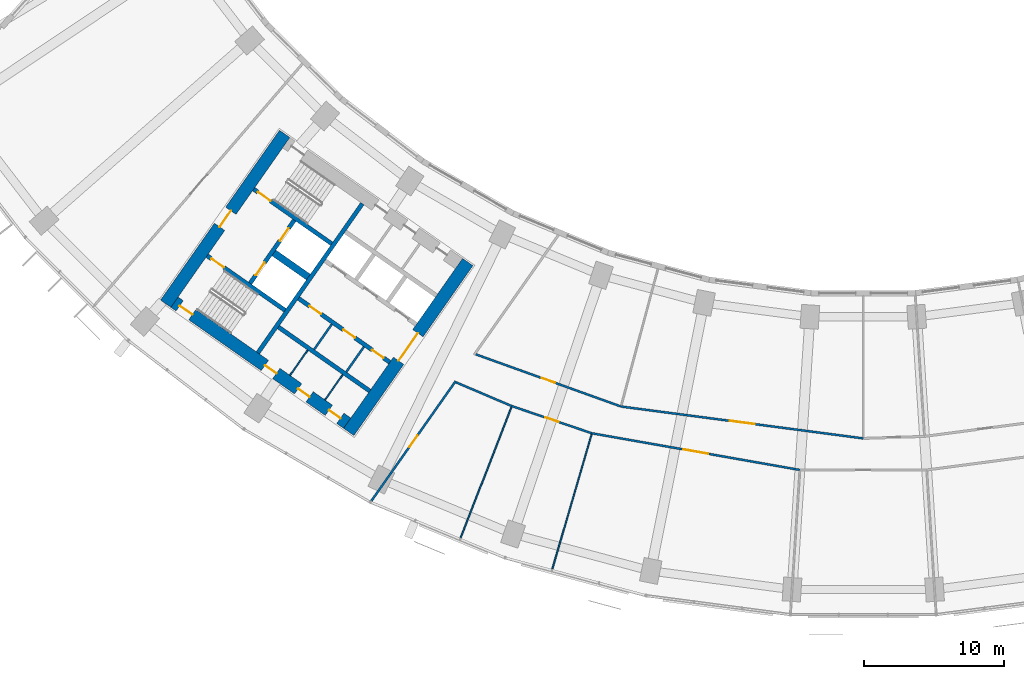
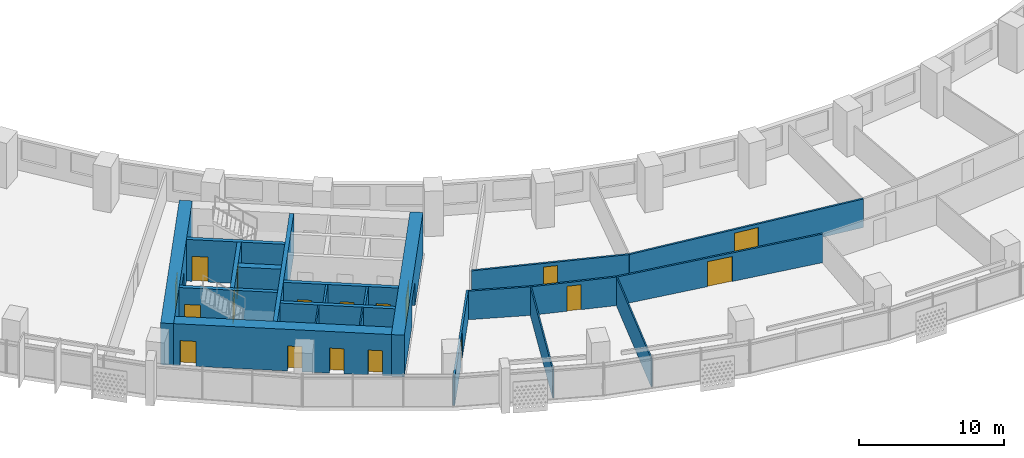
# One storey, part 3 of 31: 22 walls, 18 doors, 18 openings.
"""IFC4 building model written with IfcOpenShell, lengths in metres."""

import ifcopenshell
import ifcopenshell.guid

model = None  # the IFC model being written
_history = None  # IfcOwnerHistory: only IFC2X3 demands one
_inside = {}  # id of a spatial element -> (the spatial element, [elements in it])
_under = {}  # id of a project, library or spatial element -> (it, [spatial elements below it])
_declared = {}  # id of a project -> (the project, [libraries it declares])
_typed = {}  # id of a type object -> (the type object, [elements of that type])
_made_of = {}  # id of a material, layer set ... -> (it, [elements and type objects made of it])


def new_model(schema):
    """Start an empty IFC model of exactly this schema.

    Asked for "IFC4X3", IfcOpenShell would pick the latest addendum, in which some entities
    have other attributes; the version numbers below select the first issue.
    IFC2X3 requires an IfcOwnerHistory on every rooted entity: one is made here for all.
    """
    global model, _history
    if schema == "IFC4X3":
        model = ifcopenshell.file(schema_version=(4, 3, 0, 0))
    else:
        model = ifcopenshell.file(schema=schema)
    _inside.clear()
    _under.clear()
    _declared.clear()
    _typed.clear()
    _made_of.clear()
    _history = None
    if model.schema == "IFC2X3":
        org = make("IfcOrganization", Name="unknown")
        user = make(
            "IfcPersonAndOrganization",
            ThePerson=make("IfcPerson", FamilyName="unknown"),
            TheOrganization=org,
        )
        app = make(
            "IfcApplication",
            ApplicationDeveloper=org,
            Version="unknown",
            ApplicationFullName="unknown",
            ApplicationIdentifier="unknown",
        )
        _history = make(
            "IfcOwnerHistory",
            OwningUser=user,
            OwningApplication=app,
            ChangeAction="ADDED",
            CreationDate=0,
        )
    return model


def make(cls, **values):
    """One entity of the class cls with the attributes given. An attribute that is None is left unset."""
    return model.create_entity(
        cls, **{name: value for name, value in values.items() if value is not None}
    )


def rooted(cls, **values):
    """An entity with a GlobalId (a new one), such as an element, a storey or a relation."""
    return make(cls, GlobalId=ifcopenshell.guid.new(), OwnerHistory=_history, **values)


def si_unit(unit_type, name, prefix=None):
    """IfcSIUnit, for example si_unit("LENGTHUNIT", "METRE", prefix="MILLI")."""
    return make("IfcSIUnit", UnitType=unit_type, Prefix=prefix, Name=name)


def assignment(units):
    """IfcUnitAssignment: the units of a project."""
    return None if units is None else make("IfcUnitAssignment", Units=units)


def point(xyz):
    """IfcCartesianPoint."""
    return None if xyz is None else make("IfcCartesianPoint", Coordinates=xyz)


def direction(xyz):
    """IfcDirection."""
    return None if xyz is None else make("IfcDirection", DirectionRatios=xyz)


def frame(location, z_axis=None, x_axis=None):
    """IfcAxis2Placement3D, a coordinate frame: its origin and axes. An axis left out is left unset."""
    return make(
        "IfcAxis2Placement3D",
        Location=point(location),
        Axis=direction(z_axis),
        RefDirection=direction(x_axis),
    )


def frame_2d(location, x_axis=None):
    """IfcAxis2Placement2D, a coordinate frame in the plane: its origin and x axis."""
    return make(
        "IfcAxis2Placement2D", Location=point(location), RefDirection=direction(x_axis)
    )


def origin():
    """The frame at (0, 0, 0) with its axes left unset."""
    return frame((0.0, 0.0, 0.0))


def place(relative_to, where):
    """IfcLocalPlacement: puts the frame where relative to a parent placement (None: the world)."""
    return make(
        "IfcLocalPlacement", PlacementRelTo=relative_to, RelativePlacement=where
    )


def context(
    kind, dimensions, precision=None, world=None, true_north=None, identifier=None
):
    """IfcGeometricRepresentationContext, for example the 3D "Model" context."""
    return make(
        "IfcGeometricRepresentationContext",
        ContextIdentifier=identifier,
        ContextType=kind,
        CoordinateSpaceDimension=dimensions,
        Precision=precision,
        WorldCoordinateSystem=world,
        TrueNorth=true_north,
    )


def subcontext(parent, identifier, kind, view, scale=None):
    """IfcGeometricRepresentationSubContext, for example "Body" below "Model"."""
    return make(
        "IfcGeometricRepresentationSubContext",
        ContextIdentifier=identifier,
        ContextType=kind,
        ParentContext=parent,
        TargetScale=scale,
        TargetView=view,
    )


def project(units=None, contexts=None):
    """IfcProject with its units and contexts."""
    return rooted(
        "IfcProject",
        Name="project",
        RepresentationContexts=contexts,
        UnitsInContext=assignment(units),
    )


def spatial(cls, under=None, at=None, **own):
    """A site, building, storey or space (cls), placed at a placement, below another one or the project."""
    s = rooted(cls, ObjectPlacement=at, **own)
    if under is not None:
        _under.setdefault(under.id(), (under, []))[1].append(s)
    return s


def profile(cls, at=None, kind="AREA", **sizes):
    """A parametric profile (cls). Its sizes go by their IFC names, for example OverallWidth=200.0."""
    return make(cls, ProfileType=kind, Position=at, **sizes)


def rectangle(**sizes):
    """IfcRectangleProfileDef."""
    return profile("IfcRectangleProfileDef", **sizes)


def extrude(swept, where, along, depth):
    """IfcExtrudedAreaSolid: the profile swept, set in the frame where, extruded along a direction by depth."""
    return make(
        "IfcExtrudedAreaSolid",
        SweptArea=swept,
        Position=where,
        ExtrudedDirection=direction(along),
        Depth=depth,
    )


def shape(context_of_items, identifier, shape_type, items):
    """IfcShapeRepresentation: the items that make up one representation, for example the "Body"."""
    return make(
        "IfcShapeRepresentation",
        ContextOfItems=context_of_items,
        RepresentationIdentifier=identifier,
        RepresentationType=shape_type,
        Items=items,
    )


def material(Name=None, Category=None):
    """IfcMaterial."""
    return make("IfcMaterial", Name=Name, Category=Category)


def layer(
    of_material, thickness, ventilated=None, Name=None, Category=None, Priority=None
):
    """IfcMaterialLayer: one layer of a wall or slab, of a material (None: an air gap)."""
    return make(
        "IfcMaterialLayer",
        Material=of_material,
        LayerThickness=thickness,
        IsVentilated=ventilated,
        Name=Name,
        Category=Category,
        Priority=Priority,
    )


def layer_set(layers, Name=None):
    """IfcMaterialLayerSet."""
    return make("IfcMaterialLayerSet", MaterialLayers=layers, LayerSetName=Name)


def made_of(thing, what):
    """Note that an element or type object is made of a material, layer set ...; save() writes the relation."""
    if what is not None:
        _made_of.setdefault(what.id(), (what, []))[1].append(thing)
    return thing


def type_object(cls, material=None, **own):
    """A type object (cls), such as IfcWallType, which elements share."""
    return made_of(rooted(cls, **own), material)


def element(
    cls,
    number,
    at=None,
    inside=None,
    cuts=None,
    type_object=None,
    material=None,
    context=None,
    identifier="Body",
    shape_type=None,
    held_by="IfcProductDefinitionShape",
    body=None,
    shapes=None,
    **own,
):
    """One element of the class cls, such as IfcWall. Its Tag is "e" and its number.

    at: its placement. inside: the storey or other place that contains it. cuts: it is an
    opening in that element (IfcRelVoidsElement). A single representation is given by context,
    identifier, shape_type and body (its items); several are given by shapes. held_by: the class
    of the entity that holds the representations. save() writes the other relations.
    """
    e = rooted(cls, Tag="e%d" % number, ObjectPlacement=at, **own)
    if body is not None:
        shapes = [shape(context, identifier, shape_type, body)]
    if shapes is not None:
        e.Representation = make(held_by, Representations=shapes)
    if inside is not None:
        _inside.setdefault(inside.id(), (inside, []))[1].append(e)
    if cuts is not None:
        rooted(
            "IfcRelVoidsElement", RelatingBuildingElement=cuts, RelatedOpeningElement=e
        )
    if type_object is not None:
        _typed.setdefault(type_object.id(), (type_object, []))[1].append(e)
    return made_of(e, material)


def fill(opening, filler):
    """IfcRelFillsElement: the door or window that sits in an opening."""
    return rooted(
        "IfcRelFillsElement",
        RelatingOpeningElement=opening,
        RelatedBuildingElement=filler,
    )


def aggregate(whole, parts):
    """IfcRelAggregates: a whole, such as a stair, and the parts it consists of."""
    return rooted("IfcRelAggregates", RelatingObject=whole, RelatedObjects=parts)


def save(model, path):
    """Write the relations noted so far, then the file.

    IfcRelAggregates (storeys below a building ...), IfcRelContainedInSpatialStructure (elements
    in a storey), IfcRelDefinesByType, IfcRelAssociatesMaterial and IfcRelDeclares: one each for
    every whole, place, type object, material and project.
    """
    for whole, parts in _under.values():
        aggregate(whole, parts)
    for where, things in _inside.values():
        rooted(
            "IfcRelContainedInSpatialStructure",
            RelatedElements=things,
            RelatingStructure=where,
        )
    for kind, things in _typed.values():
        rooted("IfcRelDefinesByType", RelatedObjects=things, RelatingType=kind)
    for what, things in _made_of.values():
        rooted("IfcRelAssociatesMaterial", RelatedObjects=things, RelatingMaterial=what)
    for by, libraries in _declared.values():
        rooted("IfcRelDeclares", RelatingContext=by, RelatedDefinitions=libraries)
    model.write(path)


model = new_model("IFC4")

# Units and contexts
model_context = context("Model", 3, precision=1e-05, world=origin(), true_north=direction((0.0, 1.0)))
body_context = subcontext(model_context, "Body", "Model", "MODEL_VIEW")
ifc_project = project(units=[si_unit("LENGTHUNIT", "METRE"), si_unit("AREAUNIT", "SQUARE_METRE"), si_unit("VOLUMEUNIT", "CUBIC_METRE"), si_unit("PLANEANGLEUNIT", "RADIAN"), si_unit("MASSUNIT", "GRAM", prefix="KILO")], contexts=[model_context])

# Site, building, storey
site_placement = place(None, origin())
site = spatial("IfcSite", under=ifc_project, at=site_placement, CompositionType="ELEMENT")
building_placement = place(site_placement, origin())
building = spatial("IfcBuilding", under=site, at=building_placement, Name="Qamariyya Broadcast Tower", CompositionType="ELEMENT")
storey_placement = place(building_placement, frame((0.0, 0.0, 82.300048828125)))
storey = spatial("IfcBuildingStorey", under=building, at=storey_placement, Name="L17", CompositionType="ELEMENT", Elevation=82.300048828125)

# Wall, opening, door
ifc_material_1 = material(Name="Concrete C70/85", Category="concrete")
ifc_layer_1 = layer(ifc_material_1, 0.89990234375)
ifc_layer_set_1 = layer_set([ifc_layer_1], Name="Core wall 900 mm Concrete C70/85")
wall_type_1 = type_object("IfcWallType", Name="Core wall 900 mm Concrete C70/85", PredefinedType="SHEAR", material=ifc_layer_set_1)
wall_1_placement = place(storey_placement, frame((-36.716796875, -66.3369140625, 0.0), z_axis=(0.0, 0.0, 1.0), x_axis=(0.573577477574, 0.819151315216, 0.0)))
wall_1 = element("IfcWall", 1, at=wall_1_placement, inside=storey, type_object=wall_type_1, Name="k-W-L17-WA", PredefinedType="SHEAR", context=body_context, shape_type="SweptSolid", body=[
    extrude(rectangle(XDim=14.800048828125, YDim=0.89990234375, at=frame_2d((7.39990234375, 0.0))), origin(), (0.0, 0.0, 1.0), 3.5),
])
opening_1_placement = place(wall_1_placement, frame((6.199951171875, 0.0, 0.0)))
opening_1 = element("IfcOpeningElement", 2, at=opening_1_placement, cuts=wall_1, Name="Opening KD3-W1", PredefinedType="OPENING", context=body_context, shape_type="SweptSolid", body=[
    extrude(rectangle(XDim=2.39990234375, YDim=2.10009765625, at=frame_2d((1.199951171875, 1.050048828125))), frame((0.0, 0.4599609375, 0.0), z_axis=(0.0, -1.0, 0.0), x_axis=(1.0, 0.0, 0.0)), (0.0, 0.0, 1.0), 0.919921875),
])
ifc_material_2 = material(Name="Steel fire-resisting door leaf", Category="steel")
door_type_1 = type_object("IfcDoorType", Name="Lift lobby door KD3", OperationType="DOUBLE_DOOR_SINGLE_SWING", PredefinedType="DOOR", material=ifc_material_2)
door_1_placement = place(opening_1_placement, origin())
door_1 = element("IfcDoor", 3, at=door_1_placement, inside=storey, type_object=door_type_1, Name="k-W-L17-WA-D1", OperationType="DOUBLE_DOOR_SINGLE_SWING", OverallHeight=2.10009765625, OverallWidth=2.39990234375, PredefinedType="DOOR", context=body_context, shape_type="SweptSolid", body=[
    extrude(rectangle(XDim=2.39990234375, YDim=2.10009765625, at=frame_2d((1.199951171875, 1.050048828125))), frame((0.0, 0.02490234375, 0.0), z_axis=(0.0, -1.0, 0.0), x_axis=(1.0, 0.0, 0.0)), (0.0, 0.0, 1.0), 0.050048828125),
])
fill(opening_1, door_1)

wall_2_placement = place(storey_placement, frame((-49.778564453125, -57.191162109375, 0.0), z_axis=(0.0, 0.0, 1.0), x_axis=(0.573577477574, 0.819151315216, 0.0)))
wall_2 = element("IfcWall", 4, at=wall_2_placement, inside=storey, type_object=wall_type_1, Name="k-W-L17-WH", PredefinedType="SHEAR", context=body_context, shape_type="SweptSolid", body=[
    extrude(rectangle(XDim=14.800048828125, YDim=0.89990234375, at=frame_2d((7.39990234375, 0.0))), origin(), (0.0, 0.0, 1.0), 3.5),
])
opening_2_placement = place(wall_2_placement, frame((6.699951171875, 0.0, 0.0)))
opening_2 = element("IfcOpeningElement", 5, at=opening_2_placement, cuts=wall_2, Name="Opening KD2-W1", PredefinedType="OPENING", context=body_context, shape_type="SweptSolid", body=[
    extrude(rectangle(XDim=1.39990234375, YDim=2.10009765625, at=frame_2d((0.699951171875, 1.050048828125))), frame((0.0, 0.4599609375, 0.0), z_axis=(0.0, -1.0, 0.0), x_axis=(1.0, 0.0, 0.0)), (0.0, 0.0, 1.0), 0.919921875),
])
door_type_2 = type_object("IfcDoorType", Name="Fire-fighting lobby door KD2", OperationType="DOUBLE_DOOR_SINGLE_SWING", PredefinedType="DOOR", material=ifc_material_2)
door_2_placement = place(opening_2_placement, origin())
door_2 = element("IfcDoor", 6, at=door_2_placement, inside=storey, type_object=door_type_2, Name="k-W-L17-WH-D16", OperationType="DOUBLE_DOOR_SINGLE_SWING", OverallHeight=2.10009765625, OverallWidth=1.39990234375, PredefinedType="DOOR", context=body_context, shape_type="SweptSolid", body=[
    extrude(rectangle(XDim=1.39990234375, YDim=2.10009765625, at=frame_2d((0.699951171875, 1.050048828125))), frame((0.0, 0.02490234375, 0.0), z_axis=(0.0, -1.0, 0.0), x_axis=(1.0, 0.0, 0.0)), (0.0, 0.0, 1.0), 0.050048828125),
])
fill(opening_2, door_2)

# Wall, openings, doors
wall_3_placement = place(storey_placement, frame((-36.827392578125, -65.710205078125, 0.0), z_axis=(0.0, 0.0, 1.0), x_axis=(-0.819153391756, 0.573574511963, 0.0)))
wall_3 = element("IfcWall", 7, at=wall_3_placement, inside=storey, type_object=wall_type_1, Name="k-W-L17-WO", PredefinedType="SHEAR", context=body_context, shape_type="SweptSolid", body=[
    extrude(rectangle(XDim=15.04541015625, YDim=0.89990234375, at=frame_2d((7.522705078125, 0.0))), origin(), (0.0, 0.0, 1.0), 3.5),
])
opening_3_placement = place(wall_3_placement, frame((0.60009765625, 0.0, 0.0)))
opening_3 = element("IfcOpeningElement", 8, at=opening_3_placement, cuts=wall_3, Name="Opening KD4-W1", PredefinedType="OPENING", context=body_context, shape_type="SweptSolid", body=[
    extrude(rectangle(XDim=1.0, YDim=2.10009765625, at=frame_2d((0.5, 1.050048828125))), frame((0.0, 0.4599609375, 0.0), z_axis=(0.0, -1.0, 0.0), x_axis=(1.0, 0.0, 0.0)), (0.0, 0.0, 1.0), 0.919921875),
])
opening_4_placement = place(wall_3_placement, frame((3.27490234375, 0.0, 0.0)))
opening_4 = element("IfcOpeningElement", 9, at=opening_4_placement, cuts=wall_3, Name="Opening KD4-W2", PredefinedType="OPENING", context=body_context, shape_type="SweptSolid", body=[
    extrude(rectangle(XDim=1.0, YDim=2.10009765625, at=frame_2d((0.5, 1.050048828125))), frame((0.0, 0.4599609375, 0.0), z_axis=(0.0, -1.0, 0.0), x_axis=(1.0, 0.0, 0.0)), (0.0, 0.0, 1.0), 0.919921875),
])
opening_5_placement = place(wall_3_placement, frame((6.175048828125, 0.0, 0.0)))
opening_5 = element("IfcOpeningElement", 10, at=opening_5_placement, cuts=wall_3, Name="Opening KD4-W3", PredefinedType="OPENING", context=body_context, shape_type="SweptSolid", body=[
    extrude(rectangle(XDim=1.0, YDim=2.10009765625, at=frame_2d((0.5, 1.050048828125))), frame((0.0, 0.4599609375, 0.0), z_axis=(0.0, -1.0, 0.0), x_axis=(1.0, 0.0, 0.0)), (0.0, 0.0, 1.0), 0.919921875),
])
opening_6_placement = place(wall_3_placement, frame((13.495361328125, 0.0, 0.0)))
opening_6 = element("IfcOpeningElement", 11, at=opening_6_placement, cuts=wall_3, Name="Opening KD1-W3", PredefinedType="OPENING", context=body_context, shape_type="SweptSolid", body=[
    extrude(rectangle(XDim=1.10009765625, YDim=2.10009765625, at=frame_2d((0.550048828125, 1.050048828125))), frame((0.0, 0.4599609375, 0.0), z_axis=(0.0, -1.0, 0.0), x_axis=(1.0, 0.0, 0.0)), (0.0, 0.0, 1.0), 0.919921875),
])
door_type_3 = type_object("IfcDoorType", Name="Riser and plant door KD4", OperationType="SINGLE_SWING_LEFT", PredefinedType="DOOR", material=ifc_material_2)
door_3_placement = place(opening_3_placement, origin())
door_3 = element("IfcDoor", 12, at=door_3_placement, inside=storey, type_object=door_type_3, Name="k-W-L17-WO-D11", OperationType="SINGLE_SWING_RIGHT", OverallHeight=2.10009765625, OverallWidth=1.0, PredefinedType="DOOR", context=body_context, shape_type="SweptSolid", body=[
    extrude(rectangle(XDim=1.0, YDim=2.10009765625, at=frame_2d((0.5, 1.050048828125))), frame((0.0, 0.02490234375, 0.0), z_axis=(0.0, -1.0, 0.0), x_axis=(1.0, 0.0, 0.0)), (0.0, 0.0, 1.0), 0.050048828125),
])
fill(opening_3, door_3)
door_4_placement = place(opening_4_placement, origin())
door_4 = element("IfcDoor", 13, at=door_4_placement, inside=storey, type_object=door_type_3, Name="k-W-L17-WO-D12", OperationType="SINGLE_SWING_LEFT", OverallHeight=2.10009765625, OverallWidth=1.0, PredefinedType="DOOR", context=body_context, shape_type="SweptSolid", body=[
    extrude(rectangle(XDim=1.0, YDim=2.10009765625, at=frame_2d((0.5, 1.050048828125))), frame((0.0, 0.02490234375, 0.0), z_axis=(0.0, -1.0, 0.0), x_axis=(1.0, 0.0, 0.0)), (0.0, 0.0, 1.0), 0.050048828125),
])
fill(opening_4, door_4)
door_5_placement = place(opening_5_placement, origin())
door_5 = element("IfcDoor", 14, at=door_5_placement, inside=storey, type_object=door_type_3, Name="k-W-L17-WO-D13", OperationType="SINGLE_SWING_RIGHT", OverallHeight=2.10009765625, OverallWidth=1.0, PredefinedType="DOOR", context=body_context, shape_type="SweptSolid", body=[
    extrude(rectangle(XDim=1.0, YDim=2.10009765625, at=frame_2d((0.5, 1.050048828125))), frame((0.0, 0.02490234375, 0.0), z_axis=(0.0, -1.0, 0.0), x_axis=(1.0, 0.0, 0.0)), (0.0, 0.0, 1.0), 0.050048828125),
])
fill(opening_5, door_5)
door_type_4 = type_object("IfcDoorType", Name="Stair door KD1", OperationType="SINGLE_SWING_LEFT", PredefinedType="DOOR", material=ifc_material_2)
door_6_placement = place(opening_6_placement, origin())
door_6 = element("IfcDoor", 15, at=door_6_placement, inside=storey, type_object=door_type_4, Name="k-W-L17-WO-D19", OperationType="SINGLE_SWING_LEFT", OverallHeight=2.10009765625, OverallWidth=1.10009765625, PredefinedType="DOOR", context=body_context, shape_type="SweptSolid", body=[
    extrude(rectangle(XDim=1.10009765625, YDim=2.10009765625, at=frame_2d((0.550048828125, 1.050048828125))), frame((0.0, 0.02490234375, 0.0), z_axis=(0.0, -1.0, 0.0), x_axis=(1.0, 0.0, 0.0)), (0.0, 0.0, 1.0), 0.050048828125),
])
fill(opening_6, door_6)

# Wall, opening, door
ifc_material_3 = material(Name="Gypsum board partition")
ifc_layer_2 = layer(ifc_material_3, 0.14990234375)
ifc_layer_set_2 = layer_set([ifc_layer_2], Name="Corridor partition 150 EI 60")
wall_type_2 = type_object("IfcWallType", Name="Corridor partition 150 EI 60", PredefinedType="PARTITIONING", material=ifc_layer_set_2)
wall_4_placement = place(storey_placement, frame((-29.087890625, -62.708251953125, 0.0), z_axis=(0.0, 0.0, 1.0), x_axis=(-0.575411972256, -0.817863718589, 0.0)))
wall_4 = element("IfcWall", 16, at=wall_4_placement, inside=storey, type_object=wall_type_2, Name="Partition L17-002", PredefinedType="PARTITIONING", context=body_context, shape_type="SweptSolid", body=[
    extrude(rectangle(XDim=10.471435546875, YDim=0.14990234375, at=frame_2d((5.23583984375, 0.0))), origin(), (0.0, 0.0, 1.0), 2.39990234375),
])
opening_7_placement = place(wall_4_placement, frame((4.735595703125, 0.0, 0.0)))
opening_7 = element("IfcOpeningElement", 17, at=opening_7_placement, cuts=wall_4, Name="Opening L17-D01", PredefinedType="OPENING", context=body_context, shape_type="SweptSolid", body=[
    extrude(rectangle(XDim=1.0, YDim=2.10009765625, at=frame_2d((0.5, 1.050048828125))), frame((0.0, 0.0849609375, 0.0), z_axis=(0.0, -1.0, 0.0), x_axis=(1.0, 0.0, 0.0)), (0.0, 0.0, 1.0), 0.169921875),
])
ifc_material_4 = material(Name="Timber fire door leaf", Category="wood")
door_type_5 = type_object("IfcDoorType", Name="Fire door 1000 x 2100 FD60", OperationType="NOTDEFINED", PredefinedType="DOOR", material=ifc_material_4)
door_7_placement = place(opening_7_placement, origin())
door_7 = element("IfcDoor", 18, at=door_7_placement, inside=storey, type_object=door_type_5, Name="Door L17-D01", OperationType="SINGLE_SWING_RIGHT", OverallHeight=2.10009765625, OverallWidth=1.0, PredefinedType="DOOR", context=body_context, shape_type="SweptSolid", body=[
    extrude(rectangle(XDim=1.0, YDim=2.10009765625, at=frame_2d((0.5, 1.050048828125))), frame((0.0, 0.02490234375, 0.0), z_axis=(0.0, -1.0, 0.0), x_axis=(1.0, 0.0, 0.0)), (0.0, 0.0, 1.0), 0.050048828125),
])
fill(opening_7, door_7)

# Wall
wall_5_placement = place(storey_placement, frame((-29.06201171875, -62.799072265625, 0.0), z_axis=(0.0, 0.0, 1.0), x_axis=(0.920023602502, -0.391862949052, 0.0)))
element("IfcWall", 19, at=wall_5_placement, inside=storey, type_object=wall_type_2, Name="Partition L17-003", PredefinedType="PARTITIONING", context=body_context, shape_type="SweptSolid", body=[
    extrude(rectangle(XDim=4.329345703125, YDim=0.14990234375, at=frame_2d((2.16455078125, 0.0))), origin(), (0.0, 0.0, 1.0), 2.39990234375),
])

# Wall, opening, door
wall_6_placement = place(storey_placement, frame((-27.65625, -60.79931640625, 0.0), z_axis=(0.0, 0.0, 1.0), x_axis=(0.941106453562, -0.338110400705, 0.0)))
wall_6 = element("IfcWall", 20, at=wall_6_placement, inside=storey, type_object=wall_type_2, Name="Partition L17-005", PredefinedType="PARTITIONING", context=body_context, shape_type="SweptSolid", body=[
    extrude(rectangle(XDim=11.015869140625, YDim=0.14990234375, at=frame_2d((5.5078125, 0.0))), origin(), (0.0, 0.0, 1.0), 2.39990234375),
])
opening_8_placement = place(wall_6_placement, frame((5.008056640625, 0.0, 0.0)))
opening_8 = element("IfcOpeningElement", 21, at=opening_8_placement, cuts=wall_6, Name="Opening L17-D07", PredefinedType="OPENING", context=body_context, shape_type="SweptSolid", body=[
    extrude(rectangle(XDim=1.0, YDim=2.10009765625, at=frame_2d((0.5, 1.050048828125))), frame((0.0, 0.0849609375, 0.0), z_axis=(0.0, -1.0, 0.0), x_axis=(1.0, 0.0, 0.0)), (0.0, 0.0, 1.0), 0.169921875),
])
door_8_placement = place(opening_8_placement, origin())
door_8 = element("IfcDoor", 22, at=door_8_placement, inside=storey, type_object=door_type_5, Name="Door L17-D07", OperationType="SINGLE_SWING_RIGHT", OverallHeight=2.10009765625, OverallWidth=1.0, PredefinedType="DOOR", context=body_context, shape_type="SweptSolid", body=[
    extrude(rectangle(XDim=1.0, YDim=2.10009765625, at=frame_2d((0.5, 1.050048828125))), frame((0.0, 0.02490234375, 0.0), z_axis=(0.0, -1.0, 0.0), x_axis=(1.0, 0.0, 0.0)), (0.0, 0.0, 1.0), 0.050048828125),
])
fill(opening_8, door_8)

wall_7_placement = place(storey_placement, frame((-19.365966796875, -66.434814453125, 0.0), z_axis=(0.0, 0.0, 1.0), x_axis=(-0.94693295825, 0.321431131939, 0.0)))
wall_7 = element("IfcWall", 23, at=wall_7_placement, inside=storey, type_object=wall_type_2, Name="Partition L17-006", PredefinedType="PARTITIONING", context=body_context, shape_type="SweptSolid", body=[
    extrude(rectangle(XDim=6.032958984375, YDim=0.14990234375, at=frame_2d((3.0166015625, 0.0))), origin(), (0.0, 0.0, 1.0), 2.39990234375),
])
opening_9_placement = place(wall_7_placement, frame((2.5166015625, 0.0, 0.0)))
opening_9 = element("IfcOpeningElement", 24, at=opening_9_placement, cuts=wall_7, Name="Opening L17-D02", PredefinedType="OPENING", context=body_context, shape_type="SweptSolid", body=[
    extrude(rectangle(XDim=1.0, YDim=2.10009765625, at=frame_2d((0.5, 1.050048828125))), frame((0.0, 0.0849609375, 0.0), z_axis=(0.0, -1.0, 0.0), x_axis=(1.0, 0.0, 0.0)), (0.0, 0.0, 1.0), 0.169921875),
])
door_9_placement = place(opening_9_placement, origin())
door_9 = element("IfcDoor", 25, at=door_9_placement, inside=storey, type_object=door_type_5, Name="Door L17-D02", OperationType="SINGLE_SWING_RIGHT", OverallHeight=2.10009765625, OverallWidth=1.0, PredefinedType="DOOR", context=body_context, shape_type="SweptSolid", body=[
    extrude(rectangle(XDim=1.0, YDim=2.10009765625, at=frame_2d((0.5, 1.050048828125))), frame((0.0, 0.02490234375, 0.0), z_axis=(0.0, -1.0, 0.0), x_axis=(1.0, 0.0, 0.0)), (0.0, 0.0, 1.0), 0.050048828125),
])
fill(opening_9, door_9)

wall_8_placement = place(storey_placement, frame((-4.52587890625, -69.0517578125, 0.0), z_axis=(0.0, 0.0, 1.0), x_axis=(-0.984805080703, 0.173663332402, 0.0)))
wall_8 = element("IfcWall", 26, at=wall_8_placement, inside=storey, type_object=wall_type_2, Name="Partition L17-009", PredefinedType="PARTITIONING", context=body_context, shape_type="SweptSolid", body=[
    extrude(rectangle(XDim=15.069091796875, YDim=0.14990234375, at=frame_2d((7.53466796875, 0.0))), origin(), (0.0, 0.0, 1.0), 2.39990234375),
])
opening_10_placement = place(wall_8_placement, frame((6.634521484375, 0.0, 0.0)))
opening_10 = element("IfcOpeningElement", 27, at=opening_10_placement, cuts=wall_8, Name="Opening L17-D03", PredefinedType="OPENING", context=body_context, shape_type="SweptSolid", body=[
    extrude(rectangle(XDim=1.800048828125, YDim=2.10009765625, at=frame_2d((0.89990234375, 1.050048828125))), frame((0.0, 0.0849609375, 0.0), z_axis=(0.0, -1.0, 0.0), x_axis=(1.0, 0.0, 0.0)), (0.0, 0.0, 1.0), 0.169921875),
])
door_type_6 = type_object("IfcDoorType", Name="Double fire door 1800 x 2100 FD60", OperationType="NOTDEFINED", PredefinedType="DOOR", material=ifc_material_4)
door_10_placement = place(opening_10_placement, origin())
door_10 = element("IfcDoor", 28, at=door_10_placement, inside=storey, type_object=door_type_6, Name="Door L17-D03", OperationType="DOUBLE_DOOR_SINGLE_SWING", OverallHeight=2.10009765625, OverallWidth=1.800048828125, PredefinedType="DOOR", context=body_context, shape_type="SweptSolid", body=[
    extrude(rectangle(XDim=1.800048828125, YDim=2.10009765625, at=frame_2d((0.89990234375, 1.050048828125))), frame((0.0, 0.02490234375, 0.0), z_axis=(0.0, -1.0, 0.0), x_axis=(1.0, 0.0, 0.0)), (0.0, 0.0, 1.0), 0.050048828125),
])
fill(opening_10, door_10)

wall_9_placement = place(storey_placement, frame((-17.2890625, -64.52392578125, 0.0), z_axis=(0.0, 0.0, 1.0), x_axis=(0.991445048473, -0.130524771053, 0.0)))
wall_9 = element("IfcWall", 29, at=wall_9_placement, inside=storey, type_object=wall_type_2, Name="Partition L17-010", PredefinedType="PARTITIONING", context=body_context, shape_type="SweptSolid", body=[
    extrude(rectangle(XDim=17.438232421875, YDim=0.14990234375, at=frame_2d((8.71923828125, 0.0))), origin(), (0.0, 0.0, 1.0), 2.39990234375),
])
opening_11_placement = place(wall_9_placement, frame((7.819091796875, 0.0, 0.0)))
opening_11 = element("IfcOpeningElement", 30, at=opening_11_placement, cuts=wall_9, Name="Opening L17-D08", PredefinedType="OPENING", context=body_context, shape_type="SweptSolid", body=[
    extrude(rectangle(XDim=1.800048828125, YDim=2.10009765625, at=frame_2d((0.89990234375, 1.050048828125))), frame((0.0, 0.0849609375, 0.0), z_axis=(0.0, -1.0, 0.0), x_axis=(1.0, 0.0, 0.0)), (0.0, 0.0, 1.0), 0.169921875),
])
door_11_placement = place(opening_11_placement, origin())
door_11 = element("IfcDoor", 31, at=door_11_placement, inside=storey, type_object=door_type_6, Name="Door L17-D08", OperationType="DOUBLE_DOOR_SINGLE_SWING", OverallHeight=2.10009765625, OverallWidth=1.800048828125, PredefinedType="DOOR", context=body_context, shape_type="SweptSolid", body=[
    extrude(rectangle(XDim=1.800048828125, YDim=2.10009765625, at=frame_2d((0.89990234375, 1.050048828125))), frame((0.0, 0.02490234375, 0.0), z_axis=(0.0, -1.0, 0.0), x_axis=(1.0, 0.0, 0.0)), (0.0, 0.0, 1.0), 0.050048828125),
])
fill(opening_11, door_11)

# Walls
ifc_material_5 = material(Name="Concrete C60/75", Category="concrete")
ifc_layer_3 = layer(ifc_material_5, 0.5)
ifc_layer_set_3 = layer_set([ifc_layer_3], Name="Fire-fighting lobby divider wall 500 mm Concrete C60/75")
wall_type_3 = type_object("IfcWallType", Name="Fire-fighting lobby divider wall 500 mm Concrete C60/75", PredefinedType="SOLIDWALL", material=ifc_layer_set_3)
wall_10_placement = place(storey_placement, frame((-39.59912109375, -55.28515625, 0.0), z_axis=(0.0, 0.0, 1.0), x_axis=(-0.819136323161, 0.573598887793, 0.0)))
element("IfcWall", 32, at=wall_10_placement, inside=storey, type_object=wall_type_3, Name="k-W-L17-FD", PredefinedType="SOLIDWALL", context=body_context, shape_type="SweptSolid", body=[
    extrude(rectangle(XDim=2.999755859375, YDim=0.5, at=frame_2d((1.5, 0.0))), origin(), (0.0, 0.0, 1.0), 3.5),
])
ifc_material_6 = material(Name="Gypsum board partition on steel studs", Category="steel")
ifc_layer_4 = layer(ifc_material_6, 0.14990234375)
ifc_layer_set_4 = layer_set([ifc_layer_4], Name="Gypsum board partition 150 mm")
wall_type_4 = type_object("IfcWallType", Name="Gypsum board partition 150 mm", PredefinedType="PARTITIONING", material=ifc_layer_set_4)
for number, where, z_axis, x_axis, name in (
    (33, (-35.634521484375, -60.25830078125, 0.0), (0.0, 0.0, 1.0), (-0.573581496053, -0.819148501424, 0.0), "k-W-L17-SC215"),
    (34, (-37.92822265625, -58.65234375, 0.0), (0.0, 0.0, 1.0), (-0.573581496053, -0.819148501424, 0.0), "k-W-L17-SC495"),
):
    element("IfcWall", number, at=place(storey_placement, frame(where, z_axis=z_axis, x_axis=x_axis)), inside=storey, type_object=wall_type_4, Name=name, PredefinedType="PARTITIONING", context=body_context, shape_type="SweptSolid", body=[
        extrude(rectangle(XDim=2.2001953125, YDim=0.14990234375, at=frame_2d((1.10009765625, 0.0))), origin(), (0.0, 0.0, 1.0), 3.5),
    ])
ifc_layer_5 = layer(ifc_material_5, 0.300048828125)
ifc_layer_set_5 = layer_set([ifc_layer_5], Name="Lift shaft wall 300 mm Concrete C60/75")
wall_type_5 = type_object("IfcWallType", Name="Lift shaft wall 300 mm Concrete C60/75", PredefinedType="SOLIDWALL", material=ifc_layer_set_5)
wall_11_placement = place(storey_placement, frame((-43.204345703125, -60.69580078125, 0.0), z_axis=(0.0, 0.0, 1.0), x_axis=(0.573571992966, 0.819155155563, 0.0)))
element("IfcWall", 35, at=wall_11_placement, inside=storey, type_object=wall_type_5, Name="k-W-L17-WL", PredefinedType="SOLIDWALL", context=body_context, shape_type="SweptSolid", body=[
    extrude(rectangle(XDim=13.000244140625, YDim=0.300048828125, at=frame_2d((6.5, 0.0))), origin(), (0.0, 0.0, 1.0), 3.5),
])

# Wall, openings, doors
wall_12_placement = place(storey_placement, frame((-33.787353515625, -61.368896484375, 0.0), z_axis=(0.0, 0.0, 1.0), x_axis=(-0.819152564888, 0.573575692858, 0.0)))
wall_12 = element("IfcWall", 36, at=wall_12_placement, inside=storey, type_object=wall_type_5, Name="k-W-L17-SF0", PredefinedType="SOLIDWALL", context=body_context, shape_type="SweptSolid", body=[
    extrude(rectangle(XDim=7.9501953125, YDim=0.300048828125, at=frame_2d((3.97509765625, 0.0))), origin(), (0.0, 0.0, 1.0), 3.5),
])
opening_12_placement = place(wall_12_placement, frame((0.53759765625, 0.0, 0.0)))
opening_12 = element("IfcOpeningElement", 37, at=opening_12_placement, cuts=wall_12, Name="Opening KD6-W1", PredefinedType="OPENING", context=body_context, shape_type="SweptSolid", body=[
    extrude(rectangle(XDim=1.0, YDim=2.10009765625, at=frame_2d((0.5, 1.050048828125))), frame((0.0, 0.159912109375, 0.0), z_axis=(0.0, -1.0, 0.0), x_axis=(1.0, 0.0, 0.0)), (0.0, 0.0, 1.0), 0.320068359375),
])
opening_13_placement = place(wall_12_placement, frame((3.050048828125, 0.0, 0.0)))
opening_13 = element("IfcOpeningElement", 38, at=opening_13_placement, cuts=wall_12, Name="Opening KD6-W2", PredefinedType="OPENING", context=body_context, shape_type="SweptSolid", body=[
    extrude(rectangle(XDim=1.0, YDim=2.10009765625, at=frame_2d((0.5, 1.050048828125))), frame((0.0, 0.159912109375, 0.0), z_axis=(0.0, -1.0, 0.0), x_axis=(1.0, 0.0, 0.0)), (0.0, 0.0, 1.0), 0.320068359375),
])
opening_14_placement = place(wall_12_placement, frame((5.987548828125, 0.0, 0.0)))
opening_14 = element("IfcOpeningElement", 39, at=opening_14_placement, cuts=wall_12, Name="Opening KD6-W3", PredefinedType="OPENING", context=body_context, shape_type="SweptSolid", body=[
    extrude(rectangle(XDim=1.0, YDim=2.10009765625, at=frame_2d((0.5, 1.050048828125))), frame((0.0, 0.159912109375, 0.0), z_axis=(0.0, -1.0, 0.0), x_axis=(1.0, 0.0, 0.0)), (0.0, 0.0, 1.0), 0.320068359375),
])
door_type_7 = type_object("IfcDoorType", Name="Core room door KD6", OperationType="SINGLE_SWING_LEFT", PredefinedType="DOOR", material=ifc_material_2)
door_12_placement = place(opening_12_placement, origin())
door_12 = element("IfcDoor", 40, at=door_12_placement, inside=storey, type_object=door_type_7, Name="k-W-L17-SF0-D5", OperationType="SINGLE_SWING_RIGHT", OverallHeight=2.10009765625, OverallWidth=1.0, PredefinedType="DOOR", context=body_context, shape_type="SweptSolid", body=[
    extrude(rectangle(XDim=1.0, YDim=2.10009765625, at=frame_2d((0.5, 1.050048828125))), frame((0.0, 0.02490234375, 0.0), z_axis=(0.0, -1.0, 0.0), x_axis=(1.0, 0.0, 0.0)), (0.0, 0.0, 1.0), 0.050048828125),
])
fill(opening_12, door_12)
door_13_placement = place(opening_13_placement, origin())
door_13 = element("IfcDoor", 41, at=door_13_placement, inside=storey, type_object=door_type_7, Name="k-W-L17-SF0-D6", OperationType="SINGLE_SWING_LEFT", OverallHeight=2.10009765625, OverallWidth=1.0, PredefinedType="DOOR", context=body_context, shape_type="SweptSolid", body=[
    extrude(rectangle(XDim=1.0, YDim=2.10009765625, at=frame_2d((0.5, 1.050048828125))), frame((0.0, 0.02490234375, 0.0), z_axis=(0.0, -1.0, 0.0), x_axis=(1.0, 0.0, 0.0)), (0.0, 0.0, 1.0), 0.050048828125),
])
fill(opening_13, door_13)
door_14_placement = place(opening_14_placement, origin())
door_14 = element("IfcDoor", 42, at=door_14_placement, inside=storey, type_object=door_type_7, Name="k-W-L17-SF0-D7", OperationType="SINGLE_SWING_RIGHT", OverallHeight=2.10009765625, OverallWidth=1.0, PredefinedType="DOOR", context=body_context, shape_type="SweptSolid", body=[
    extrude(rectangle(XDim=1.0, YDim=2.10009765625, at=frame_2d((0.5, 1.050048828125))), frame((0.0, 0.02490234375, 0.0), z_axis=(0.0, -1.0, 0.0), x_axis=(1.0, 0.0, 0.0)), (0.0, 0.0, 1.0), 0.050048828125),
])
fill(opening_14, door_14)

# Wall
wall_13_placement = place(storey_placement, frame((-35.22119140625, -63.41650390625, 0.0), z_axis=(0.0, 0.0, 1.0), x_axis=(-0.819166993208, 0.573555086491, 0.0)))
element("IfcWall", 43, at=wall_13_placement, inside=storey, type_object=wall_type_5, Name="k-W-L17-SB0", PredefinedType="SOLIDWALL", context=body_context, shape_type="SweptSolid", body=[
    extrude(rectangle(XDim=7.9501953125, YDim=0.300048828125, at=frame_2d((3.97509765625, 0.0))), origin(), (0.0, 0.0, 1.0), 3.5),
])

# Wall, opening, door
wall_14_placement = place(storey_placement, frame((-37.935546875, -52.90966796875, 0.0), z_axis=(0.0, 0.0, 1.0), x_axis=(-0.819147518138, 0.57358290031, 0.0)))
wall_14 = element("IfcWall", 44, at=wall_14_placement, inside=storey, type_object=wall_type_5, Name="k-W-L17-NW", PredefinedType="SOLIDWALL", context=body_context, shape_type="SweptSolid", body=[
    extrude(rectangle(XDim=6.79541015625, YDim=0.300048828125, at=frame_2d((3.397705078125, 0.0))), origin(), (0.0, 0.0, 1.0), 3.5),
])
opening_15_placement = place(wall_14_placement, frame((5.3203125, 0.0, 0.0)))
opening_15 = element("IfcOpeningElement", 45, at=opening_15_placement, cuts=wall_14, Name="Opening KD1-W2", PredefinedType="OPENING", context=body_context, shape_type="SweptSolid", body=[
    extrude(rectangle(XDim=1.10009765625, YDim=2.10009765625, at=frame_2d((0.550048828125, 1.050048828125))), frame((0.0, 0.159912109375, 0.0), z_axis=(0.0, -1.0, 0.0), x_axis=(1.0, 0.0, 0.0)), (0.0, 0.0, 1.0), 0.320068359375),
])
door_15_placement = place(opening_15_placement, origin())
door_15 = element("IfcDoor", 46, at=door_15_placement, inside=storey, type_object=door_type_4, Name="k-W-L17-NW-D18", OperationType="SINGLE_SWING_LEFT", OverallHeight=2.10009765625, OverallWidth=1.10009765625, PredefinedType="DOOR", context=body_context, shape_type="SweptSolid", body=[
    extrude(rectangle(XDim=1.10009765625, YDim=2.10009765625, at=frame_2d((0.550048828125, 1.050048828125))), frame((0.0, 0.02490234375, 0.0), z_axis=(0.0, -1.0, 0.0), x_axis=(1.0, 0.0, 0.0)), (0.0, 0.0, 1.0), 0.050048828125),
])
fill(opening_15, door_15)

wall_15_placement = place(storey_placement, frame((-41.262451171875, -57.66064453125, 0.0), z_axis=(0.0, 0.0, 1.0), x_axis=(-0.819164398642, 0.573558792102, 0.0)))
wall_15 = element("IfcWall", 47, at=wall_15_placement, inside=storey, type_object=wall_type_5, Name="k-W-L17-SW", PredefinedType="SOLIDWALL", context=body_context, shape_type="SweptSolid", body=[
    extrude(rectangle(XDim=6.795166015625, YDim=0.300048828125, at=frame_2d((3.3974609375, 0.0))), origin(), (0.0, 0.0, 1.0), 3.5),
])
opening_16_placement = place(wall_15_placement, frame((5.3203125, 0.0, 0.0)))
opening_16 = element("IfcOpeningElement", 48, at=opening_16_placement, cuts=wall_15, Name="Opening KD1-W4", PredefinedType="OPENING", context=body_context, shape_type="SweptSolid", body=[
    extrude(rectangle(XDim=1.10009765625, YDim=2.10009765625, at=frame_2d((0.550048828125, 1.050048828125))), frame((0.0, 0.159912109375, 0.0), z_axis=(0.0, -1.0, 0.0), x_axis=(1.0, 0.0, 0.0)), (0.0, 0.0, 1.0), 0.320068359375),
])
door_16_placement = place(opening_16_placement, origin())
door_16 = element("IfcDoor", 49, at=door_16_placement, inside=storey, type_object=door_type_4, Name="k-W-L17-SW-D20", OperationType="SINGLE_SWING_LEFT", OverallHeight=2.10009765625, OverallWidth=1.10009765625, PredefinedType="DOOR", context=body_context, shape_type="SweptSolid", body=[
    extrude(rectangle(XDim=1.10009765625, YDim=2.10009765625, at=frame_2d((0.550048828125, 1.050048828125))), frame((0.0, 0.02490234375, 0.0), z_axis=(0.0, -1.0, 0.0), x_axis=(1.0, 0.0, 0.0)), (0.0, 0.0, 1.0), 0.050048828125),
])
fill(opening_16, door_16)

# Wall, openings, doors
wall_16_placement = place(storey_placement, frame((-43.756591796875, -55.731201171875, 0.0), z_axis=(0.0, 0.0, 1.0), x_axis=(0.573536818435, 0.819179783625, 0.0)))
wall_16 = element("IfcWall", 50, at=wall_16_placement, inside=storey, type_object=wall_type_5, Name="k-W-L17-FF", PredefinedType="SOLIDWALL", context=body_context, shape_type="SweptSolid", body=[
    extrude(rectangle(XDim=5.500244140625, YDim=0.300048828125, at=frame_2d((2.75, 0.0))), origin(), (0.0, 0.0, 1.0), 3.5),
])
opening_17_placement = place(wall_16_placement, frame((0.699951171875, 0.0, 0.0)))
opening_17 = element("IfcOpeningElement", 51, at=opening_17_placement, cuts=wall_16, Name="Opening LD", PredefinedType="OPENING", context=body_context, shape_type="SweptSolid", body=[
    extrude(rectangle(XDim=1.10009765625, YDim=2.10009765625, at=frame_2d((0.550048828125, 1.050048828125))), frame((0.0, 0.159912109375, 0.0), z_axis=(0.0, -1.0, 0.0), x_axis=(1.0, 0.0, 0.0)), (0.0, 0.0, 1.0), 0.320068359375),
])
opening_18_placement = place(wall_16_placement, frame((3.699951171875, 0.0, 0.0)))
opening_18 = element("IfcOpeningElement", 52, at=opening_18_placement, cuts=wall_16, Name="Opening LD", PredefinedType="OPENING", context=body_context, shape_type="SweptSolid", body=[
    extrude(rectangle(XDim=1.10009765625, YDim=2.10009765625, at=frame_2d((0.550048828125, 1.050048828125))), frame((0.0, 0.159912109375, 0.0), z_axis=(0.0, -1.0, 0.0), x_axis=(1.0, 0.0, 0.0)), (0.0, 0.0, 1.0), 0.320068359375),
])
door_type_8 = type_object("IfcDoorType", Name="Lift landing door LD", OperationType="DOUBLE_DOOR_SLIDING", PredefinedType="DOOR", material=ifc_material_2)
door_17_placement = place(opening_17_placement, origin())
door_17 = element("IfcDoor", 53, at=door_17_placement, inside=storey, type_object=door_type_8, Name="k-W-L17-FF-D14", OperationType="DOUBLE_DOOR_SLIDING", OverallHeight=2.10009765625, OverallWidth=1.10009765625, PredefinedType="DOOR", context=body_context, shape_type="SweptSolid", body=[
    extrude(rectangle(XDim=1.10009765625, YDim=2.10009765625, at=frame_2d((0.550048828125, 1.050048828125))), frame((0.0, 0.02490234375, 0.0), z_axis=(0.0, -1.0, 0.0), x_axis=(1.0, 0.0, 0.0)), (0.0, 0.0, 1.0), 0.050048828125),
])
fill(opening_17, door_17)
door_18_placement = place(opening_18_placement, origin())
door_18 = element("IfcDoor", 54, at=door_18_placement, inside=storey, type_object=door_type_8, Name="k-W-L17-FF-D15", OperationType="DOUBLE_DOOR_SLIDING", OverallHeight=2.10009765625, OverallWidth=1.10009765625, PredefinedType="DOOR", context=body_context, shape_type="SweptSolid", body=[
    extrude(rectangle(XDim=1.10009765625, YDim=2.10009765625, at=frame_2d((0.550048828125, 1.050048828125))), frame((0.0, 0.02490234375, 0.0), z_axis=(0.0, -1.0, 0.0), x_axis=(1.0, 0.0, 0.0)), (0.0, 0.0, 1.0), 0.050048828125),
])
fill(opening_18, door_18)

# Walls
ifc_layer_6 = layer(ifc_material_3, 0.10009765625)
ifc_layer_set_6 = layer_set([ifc_layer_6], Name="Partition 100")
wall_type_6 = type_object("IfcWallType", Name="Partition 100", PredefinedType="PARTITIONING", material=ifc_layer_set_6)
wall_17_placement = place(storey_placement, frame((-28.73876953125, -73.907470703125, 0.0), z_axis=(0.0, 0.0, 1.0), x_axis=(0.362407472517, 0.932019755082, 0.0)))
element("IfcWall", 55, at=wall_17_placement, inside=storey, type_object=wall_type_6, Name="Partition L17-004", PredefinedType="PARTITIONING", context=body_context, shape_type="SweptSolid", body=[
    extrude(rectangle(XDim=10.0234375, YDim=0.10009765625, at=frame_2d((5.01171875, 0.0))), origin(), (0.0, 0.0, 1.0), 2.39990234375),
])
wall_18_placement = place(storey_placement, frame((-22.192138671875, -76.1298828125, 0.0), z_axis=(0.0, 0.0, 1.0), x_axis=(0.279857832074, 0.960041454223, 0.0)))
element("IfcWall", 56, at=wall_18_placement, inside=storey, type_object=wall_type_6, Name="Partition L17-007", PredefinedType="PARTITIONING", context=body_context, shape_type="SweptSolid", body=[
    extrude(rectangle(XDim=10.023681640625, YDim=0.10009765625, at=frame_2d((5.01171875, 0.0))), origin(), (0.0, 0.0, 1.0), 2.39990234375),
])
ifc_material_7 = material(Name="Fire-rated gypsum shaft liner on steel studs", Category="steel")
ifc_layer_7 = layer(ifc_material_7, 0.10009765625)
ifc_layer_set_7 = layer_set([ifc_layer_7], Name="Riser wall 100 mm")
wall_type_7 = type_object("IfcWallType", Name="Riser wall 100 mm", PredefinedType="PLUMBINGWALL", material=ifc_layer_set_7)
for number, where, z_axis, x_axis, name in (
    (57, (-37.150390625, -62.2490234375, 0.0), (0.0, 0.0, 1.0), (-0.573633636671, -0.819111989218, 0.0), "k-W-L17-SP225"),
    (58, (-39.64892578125, -60.49951171875, 0.0), (0.0, 0.0, 1.0), (-0.573507030513, -0.819200638399, 0.0), "k-W-L17-SP530"),
):
    element("IfcWall", number, at=place(storey_placement, frame(where, z_axis=z_axis, x_axis=x_axis)), inside=storey, type_object=wall_type_7, Name=name, PredefinedType="PLUMBINGWALL", context=body_context, shape_type="SweptSolid", body=[
        extrude(rectangle(XDim=2.199951171875, YDim=0.10009765625, at=frame_2d((1.10009765625, 0.0))), origin(), (0.0, 0.0, 1.0), 3.5),
    ])

save(model, "model.ifc")
